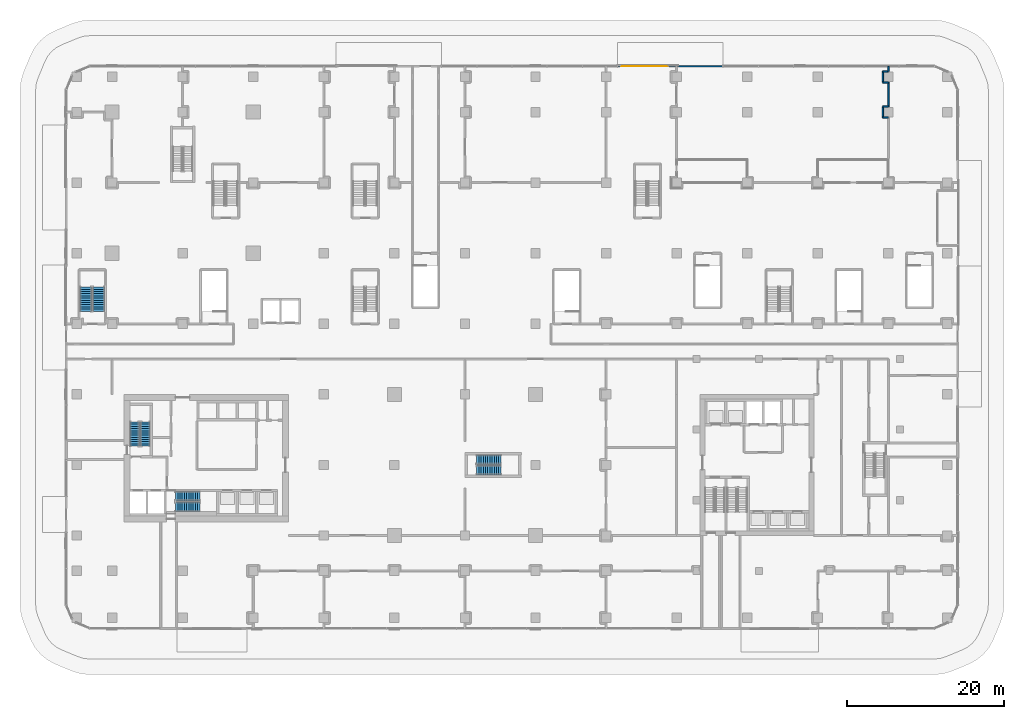
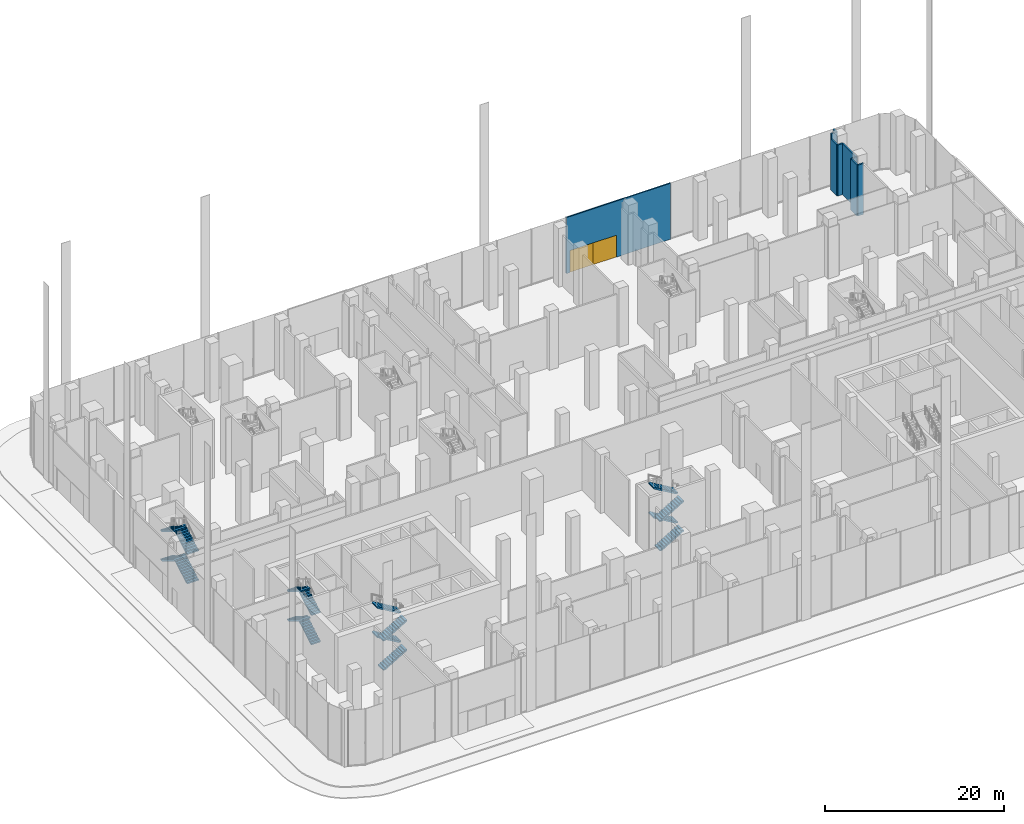
# One storey, part 27 of 42: 16 stair flights, 9 walls, 2 doors, 2 openings, 4 elements without a shape of their own.
"""IFC4 building model written with IfcOpenShell, lengths in metres."""

import ifcopenshell
import ifcopenshell.guid

model = None  # the IFC model being written
_history = None  # IfcOwnerHistory: only IFC2X3 demands one
_inside = {}  # id of a spatial element -> (the spatial element, [elements in it])
_under = {}  # id of a project, library or spatial element -> (it, [spatial elements below it])
_declared = {}  # id of a project -> (the project, [libraries it declares])
_typed = {}  # id of a type object -> (the type object, [elements of that type])
_made_of = {}  # id of a material, layer set ... -> (it, [elements and type objects made of it])


def new_model(schema):
    """Start an empty IFC model of exactly this schema.

    Asked for "IFC4X3", IfcOpenShell would pick the latest addendum, in which some entities
    have other attributes; the version numbers below select the first issue.
    IFC2X3 requires an IfcOwnerHistory on every rooted entity: one is made here for all.
    """
    global model, _history
    if schema == "IFC4X3":
        model = ifcopenshell.file(schema_version=(4, 3, 0, 0))
    else:
        model = ifcopenshell.file(schema=schema)
    _inside.clear()
    _under.clear()
    _declared.clear()
    _typed.clear()
    _made_of.clear()
    _history = None
    if model.schema == "IFC2X3":
        org = make("IfcOrganization", Name="unknown")
        user = make(
            "IfcPersonAndOrganization",
            ThePerson=make("IfcPerson", FamilyName="unknown"),
            TheOrganization=org,
        )
        app = make(
            "IfcApplication",
            ApplicationDeveloper=org,
            Version="unknown",
            ApplicationFullName="unknown",
            ApplicationIdentifier="unknown",
        )
        _history = make(
            "IfcOwnerHistory",
            OwningUser=user,
            OwningApplication=app,
            ChangeAction="ADDED",
            CreationDate=0,
        )
    return model


def make(cls, **values):
    """One entity of the class cls with the attributes given. An attribute that is None is left unset."""
    return model.create_entity(
        cls, **{name: value for name, value in values.items() if value is not None}
    )


def rooted(cls, **values):
    """An entity with a GlobalId (a new one), such as an element, a storey or a relation."""
    return make(cls, GlobalId=ifcopenshell.guid.new(), OwnerHistory=_history, **values)


def si_unit(unit_type, name, prefix=None):
    """IfcSIUnit, for example si_unit("LENGTHUNIT", "METRE", prefix="MILLI")."""
    return make("IfcSIUnit", UnitType=unit_type, Prefix=prefix, Name=name)


def assignment(units):
    """IfcUnitAssignment: the units of a project."""
    return None if units is None else make("IfcUnitAssignment", Units=units)


def point(xyz):
    """IfcCartesianPoint."""
    return None if xyz is None else make("IfcCartesianPoint", Coordinates=xyz)


def direction(xyz):
    """IfcDirection."""
    return None if xyz is None else make("IfcDirection", DirectionRatios=xyz)


def frame(location, z_axis=None, x_axis=None):
    """IfcAxis2Placement3D, a coordinate frame: its origin and axes. An axis left out is left unset."""
    return make(
        "IfcAxis2Placement3D",
        Location=point(location),
        Axis=direction(z_axis),
        RefDirection=direction(x_axis),
    )


def frame_2d(location, x_axis=None):
    """IfcAxis2Placement2D, a coordinate frame in the plane: its origin and x axis."""
    return make(
        "IfcAxis2Placement2D", Location=point(location), RefDirection=direction(x_axis)
    )


def origin():
    """The frame at (0, 0, 0) with its axes left unset."""
    return frame((0.0, 0.0, 0.0))


def place(relative_to, where):
    """IfcLocalPlacement: puts the frame where relative to a parent placement (None: the world)."""
    return make(
        "IfcLocalPlacement", PlacementRelTo=relative_to, RelativePlacement=where
    )


def context(
    kind, dimensions, precision=None, world=None, true_north=None, identifier=None
):
    """IfcGeometricRepresentationContext, for example the 3D "Model" context."""
    return make(
        "IfcGeometricRepresentationContext",
        ContextIdentifier=identifier,
        ContextType=kind,
        CoordinateSpaceDimension=dimensions,
        Precision=precision,
        WorldCoordinateSystem=world,
        TrueNorth=true_north,
    )


def subcontext(parent, identifier, kind, view, scale=None):
    """IfcGeometricRepresentationSubContext, for example "Body" below "Model"."""
    return make(
        "IfcGeometricRepresentationSubContext",
        ContextIdentifier=identifier,
        ContextType=kind,
        ParentContext=parent,
        TargetScale=scale,
        TargetView=view,
    )


def project(units=None, contexts=None):
    """IfcProject with its units and contexts."""
    return rooted(
        "IfcProject",
        Name="project",
        RepresentationContexts=contexts,
        UnitsInContext=assignment(units),
    )


def spatial(cls, under=None, at=None, **own):
    """A site, building, storey or space (cls), placed at a placement, below another one or the project."""
    s = rooted(cls, ObjectPlacement=at, **own)
    if under is not None:
        _under.setdefault(under.id(), (under, []))[1].append(s)
    return s


def polyline(points):
    """IfcPolyline through the points."""
    return make("IfcPolyline", Points=[point(p) for p in points])


def profile(cls, at=None, kind="AREA", **sizes):
    """A parametric profile (cls). Its sizes go by their IFC names, for example OverallWidth=200.0."""
    return make(cls, ProfileType=kind, Position=at, **sizes)


def rectangle(**sizes):
    """IfcRectangleProfileDef."""
    return profile("IfcRectangleProfileDef", **sizes)


def outline(outer, holes=None, kind="AREA"):
    """IfcArbitraryClosedProfileDef: a profile drawn as a closed curve; with holes, ...WithVoids."""
    if holes is None:
        return make("IfcArbitraryClosedProfileDef", ProfileType=kind, OuterCurve=outer)
    return make(
        "IfcArbitraryProfileDefWithVoids",
        ProfileType=kind,
        OuterCurve=outer,
        InnerCurves=holes,
    )


def extrude(swept, where, along, depth):
    """IfcExtrudedAreaSolid: the profile swept, set in the frame where, extruded along a direction by depth."""
    return make(
        "IfcExtrudedAreaSolid",
        SweptArea=swept,
        Position=where,
        ExtrudedDirection=direction(along),
        Depth=depth,
    )


def shape(context_of_items, identifier, shape_type, items):
    """IfcShapeRepresentation: the items that make up one representation, for example the "Body"."""
    return make(
        "IfcShapeRepresentation",
        ContextOfItems=context_of_items,
        RepresentationIdentifier=identifier,
        RepresentationType=shape_type,
        Items=items,
    )


def material(Name=None, Category=None):
    """IfcMaterial."""
    return make("IfcMaterial", Name=Name, Category=Category)


def layer(
    of_material, thickness, ventilated=None, Name=None, Category=None, Priority=None
):
    """IfcMaterialLayer: one layer of a wall or slab, of a material (None: an air gap)."""
    return make(
        "IfcMaterialLayer",
        Material=of_material,
        LayerThickness=thickness,
        IsVentilated=ventilated,
        Name=Name,
        Category=Category,
        Priority=Priority,
    )


def layer_set(layers, Name=None):
    """IfcMaterialLayerSet."""
    return make("IfcMaterialLayerSet", MaterialLayers=layers, LayerSetName=Name)


def made_of(thing, what):
    """Note that an element or type object is made of a material, layer set ...; save() writes the relation."""
    if what is not None:
        _made_of.setdefault(what.id(), (what, []))[1].append(thing)
    return thing


def type_object(cls, material=None, **own):
    """A type object (cls), such as IfcWallType, which elements share."""
    return made_of(rooted(cls, **own), material)


def element(
    cls,
    number,
    at=None,
    inside=None,
    cuts=None,
    type_object=None,
    material=None,
    context=None,
    identifier="Body",
    shape_type=None,
    held_by="IfcProductDefinitionShape",
    body=None,
    shapes=None,
    **own,
):
    """One element of the class cls, such as IfcWall. Its Tag is "e" and its number.

    at: its placement. inside: the storey or other place that contains it. cuts: it is an
    opening in that element (IfcRelVoidsElement). A single representation is given by context,
    identifier, shape_type and body (its items); several are given by shapes. held_by: the class
    of the entity that holds the representations. save() writes the other relations.
    """
    e = rooted(cls, Tag="e%d" % number, ObjectPlacement=at, **own)
    if body is not None:
        shapes = [shape(context, identifier, shape_type, body)]
    if shapes is not None:
        e.Representation = make(held_by, Representations=shapes)
    if inside is not None:
        _inside.setdefault(inside.id(), (inside, []))[1].append(e)
    if cuts is not None:
        rooted(
            "IfcRelVoidsElement", RelatingBuildingElement=cuts, RelatedOpeningElement=e
        )
    if type_object is not None:
        _typed.setdefault(type_object.id(), (type_object, []))[1].append(e)
    return made_of(e, material)


def fill(opening, filler):
    """IfcRelFillsElement: the door or window that sits in an opening."""
    return rooted(
        "IfcRelFillsElement",
        RelatingOpeningElement=opening,
        RelatedBuildingElement=filler,
    )


def aggregate(whole, parts):
    """IfcRelAggregates: a whole, such as a stair, and the parts it consists of."""
    return rooted("IfcRelAggregates", RelatingObject=whole, RelatedObjects=parts)


def save(model, path):
    """Write the relations noted so far, then the file.

    IfcRelAggregates (storeys below a building ...), IfcRelContainedInSpatialStructure (elements
    in a storey), IfcRelDefinesByType, IfcRelAssociatesMaterial and IfcRelDeclares: one each for
    every whole, place, type object, material and project.
    """
    for whole, parts in _under.values():
        aggregate(whole, parts)
    for where, things in _inside.values():
        rooted(
            "IfcRelContainedInSpatialStructure",
            RelatedElements=things,
            RelatingStructure=where,
        )
    for kind, things in _typed.values():
        rooted("IfcRelDefinesByType", RelatedObjects=things, RelatingType=kind)
    for what, things in _made_of.values():
        rooted("IfcRelAssociatesMaterial", RelatedObjects=things, RelatingMaterial=what)
    for by, libraries in _declared.values():
        rooted("IfcRelDeclares", RelatingContext=by, RelatedDefinitions=libraries)
    model.write(path)


model = new_model("IFC4")

# Units and contexts
model_context = context("Model", 3, precision=1e-05, world=origin(), true_north=direction((0.0, 1.0)))
body_context = subcontext(model_context, "Body", "Model", "MODEL_VIEW")
ifc_project = project(units=[si_unit("LENGTHUNIT", "METRE"), si_unit("AREAUNIT", "SQUARE_METRE"), si_unit("VOLUMEUNIT", "CUBIC_METRE"), si_unit("PLANEANGLEUNIT", "RADIAN"), si_unit("MASSUNIT", "GRAM", prefix="KILO")], contexts=[model_context])

# Site, building, storey
site_placement = place(None, origin())
site = spatial("IfcSite", under=ifc_project, at=site_placement, CompositionType="ELEMENT")
building_placement = place(site_placement, origin())
building = spatial("IfcBuilding", under=site, at=building_placement, Name="Plateau Cross Towers", CompositionType="ELEMENT")
storey_placement = place(building_placement, origin())
storey = spatial("IfcBuildingStorey", under=building, at=storey_placement, Name="L00", CompositionType="ELEMENT", Elevation=0.0)

# Wall, openings, doors
ifc_material_1 = material(Name="Aluminium framed glazing", Category="aluminium")
ifc_layer_1 = layer(ifc_material_1, 0.159912109375)
ifc_layer_set_1 = layer_set([ifc_layer_1], Name="Aluminium framed glazing")
wall_type_1 = type_object("IfcWallType", Name="Entrance screen wall 160", PredefinedType="STANDARD", material=ifc_layer_set_1)
wall_1_placement = place(storey_placement, frame((64.46240234375, 59.85009765625, 0.0), z_axis=(0.0, 0.0, 1.0), x_axis=(1.0, 0.0, 0.0)))
wall_1 = element("IfcWall", 1, at=wall_1_placement, inside=storey, type_object=wall_type_1, Name="Station station-N2 screen wall", PredefinedType="STANDARD", context=body_context, shape_type="SweptSolid", body=[
    extrude(rectangle(XDim=13.462646484375, YDim=0.159912109375, at=frame_2d((6.7314453125, 0.0))), origin(), (0.0, 0.0, 1.0), 7.64990234375),
])
opening_1_placement = place(wall_1_placement, frame((0.481201171875, 0.0, 0.0)))
opening_1 = element("IfcOpeningElement", 2, at=opening_1_placement, cuts=wall_1, Name="Opening XD3", PredefinedType="OPENING", context=body_context, shape_type="SweptSolid", body=[
    extrude(rectangle(XDim=3.0, YDim=3.0, at=frame_2d((1.5, 1.5))), frame((0.0, 0.08984375, 0.0), z_axis=(0.0, -1.0, 0.0), x_axis=(1.0, 0.0, 0.0)), (0.0, 0.0, 1.0), 0.179931640625),
])
opening_2_placement = place(wall_1_placement, frame((3.481201171875, 0.0, 0.0)))
opening_2 = element("IfcOpeningElement", 3, at=opening_2_placement, cuts=wall_1, Name="Opening XD3", PredefinedType="OPENING", context=body_context, shape_type="SweptSolid", body=[
    extrude(rectangle(XDim=3.0, YDim=3.0, at=frame_2d((1.5, 1.5))), frame((0.0, 0.08984375, 0.0), z_axis=(0.0, -1.0, 0.0), x_axis=(1.0, 0.0, 0.0)), (0.0, 0.0, 1.0), 0.179931640625),
])
door_type = type_object("IfcDoorType", Name="Station entrance sliding door 3000x3000", OperationType="SLIDING_TO_LEFT", PredefinedType="DOOR", material=ifc_material_1)
door_1_placement = place(opening_1_placement, origin())
door_1 = element("IfcDoor", 4, at=door_1_placement, inside=storey, type_object=door_type, Name="Station station-N2 door 1", OperationType="SINGLE_SWING_LEFT", OverallHeight=3.0, OverallWidth=3.0, PredefinedType="DOOR", context=body_context, shape_type="SweptSolid", body=[
    extrude(rectangle(XDim=3.0, YDim=3.0, at=frame_2d((1.5, 1.5))), frame((0.0, 0.02490234375, 0.0), z_axis=(0.0, -1.0, 0.0), x_axis=(1.0, 0.0, 0.0)), (0.0, 0.0, 1.0), 0.050048828125),
])
fill(opening_1, door_1)
door_2_placement = place(opening_2_placement, origin())
door_2 = element("IfcDoor", 5, at=door_2_placement, inside=storey, type_object=door_type, Name="Station station-N2 door 2", OperationType="SINGLE_SWING_LEFT", OverallHeight=3.0, OverallWidth=3.0, PredefinedType="DOOR", context=body_context, shape_type="SweptSolid", body=[
    extrude(rectangle(XDim=3.0, YDim=3.0, at=frame_2d((1.5, 1.5))), frame((0.0, 0.02490234375, 0.0), z_axis=(0.0, -1.0, 0.0), x_axis=(1.0, 0.0, 0.0)), (0.0, 0.0, 1.0), 0.050048828125),
])
fill(opening_2, door_2)

# Walls
ifc_material_2 = material(Name="Gypsum board on steel studs", Category="steel")
ifc_layer_2 = layer(ifc_material_2, 0.199951171875)
ifc_layer_set_2 = layer_set([ifc_layer_2], Name="Gypsum board on steel studs")
wall_type_2 = type_object("IfcWallType", Name="Podium partition 200", PredefinedType="PARTITIONING", material=ifc_layer_set_2)
wall_2_placement = place(storey_placement, frame((99.0, 59.85009765625, 0.0), z_axis=(0.0, 0.0, 1.0), x_axis=(0.0, -1.0, 0.0)))
element("IfcWall", 6, at=wall_2_placement, inside=storey, type_object=wall_type_2, Name="Partition wall", PredefinedType="PARTITIONING", context=body_context, shape_type="SweptSolid", body=[
    extrude(rectangle(XDim=0.650146484375, YDim=0.199951171875, at=frame_2d((0.3251953125, 0.0))), origin(), (0.0, 0.0, 1.0), 7.64990234375),
])
wall_3_placement = place(storey_placement, frame((99.0, 59.199951171875, 0.0), z_axis=(0.0, 0.0, 1.0), x_axis=(-1.0, 0.0, 0.0)))
element("IfcWall", 7, at=wall_3_placement, inside=storey, type_object=wall_type_2, Name="Partition wall", PredefinedType="PARTITIONING", context=body_context, shape_type="SweptSolid", body=[
    extrude(rectangle(XDim=0.699951171875, YDim=0.199951171875, at=frame_2d((0.35009765625, 0.0))), origin(), (0.0, 0.0, 1.0), 7.64990234375),
])
wall_4_placement = place(storey_placement, frame((98.300048828125, 59.199951171875, 0.0), z_axis=(0.0, 0.0, 1.0), x_axis=(0.0, -1.0, 0.0)))
element("IfcWall", 8, at=wall_4_placement, inside=storey, type_object=wall_type_2, Name="Partition wall", PredefinedType="PARTITIONING", context=body_context, shape_type="SweptSolid", body=[
    extrude(rectangle(XDim=1.39990234375, YDim=0.199951171875, at=frame_2d((0.699951171875, 0.0))), origin(), (0.0, 0.0, 1.0), 6.949951171875),
])
wall_5_placement = place(storey_placement, frame((98.300048828125, 57.800048828125, 0.0), z_axis=(0.0, 0.0, 1.0), x_axis=(1.0, 0.0, 0.0)))
element("IfcWall", 9, at=wall_5_placement, inside=storey, type_object=wall_type_2, Name="Partition wall", PredefinedType="PARTITIONING", context=body_context, shape_type="SweptSolid", body=[
    extrude(rectangle(XDim=0.699951171875, YDim=0.199951171875, at=frame_2d((0.35009765625, 0.0))), origin(), (0.0, 0.0, 1.0), 6.949951171875),
])
wall_6_placement = place(storey_placement, frame((99.0, 57.800048828125, 0.0), z_axis=(0.0, 0.0, 1.0), x_axis=(0.0, -1.0, 0.0)))
element("IfcWall", 10, at=wall_6_placement, inside=storey, type_object=wall_type_2, Name="Partition wall", PredefinedType="PARTITIONING", context=body_context, shape_type="SweptSolid", body=[
    extrude(rectangle(XDim=3.10009765625, YDim=0.199951171875, at=frame_2d((1.550048828125, 0.0))), origin(), (0.0, 0.0, 1.0), 6.949951171875),
])
wall_7_placement = place(storey_placement, frame((99.0, 54.699951171875, 0.0), z_axis=(0.0, 0.0, 1.0), x_axis=(-1.0, 0.0, 0.0)))
element("IfcWall", 11, at=wall_7_placement, inside=storey, type_object=wall_type_2, Name="Partition wall", PredefinedType="PARTITIONING", context=body_context, shape_type="SweptSolid", body=[
    extrude(rectangle(XDim=0.699951171875, YDim=0.199951171875, at=frame_2d((0.35009765625, 0.0))), origin(), (0.0, 0.0, 1.0), 6.949951171875),
])
wall_8_placement = place(storey_placement, frame((98.300048828125, 54.699951171875, 0.0), z_axis=(0.0, 0.0, 1.0), x_axis=(0.0, -1.0, 0.0)))
element("IfcWall", 12, at=wall_8_placement, inside=storey, type_object=wall_type_2, Name="Partition wall", PredefinedType="PARTITIONING", context=body_context, shape_type="SweptSolid", body=[
    extrude(rectangle(XDim=1.39990234375, YDim=0.199951171875, at=frame_2d((0.699951171875, 0.0))), origin(), (0.0, 0.0, 1.0), 6.949951171875),
])
wall_9_placement = place(storey_placement, frame((98.300048828125, 53.300048828125, 0.0), z_axis=(0.0, 0.0, 1.0), x_axis=(1.0, 0.0, 0.0)))
element("IfcWall", 13, at=wall_9_placement, inside=storey, type_object=wall_type_2, Name="Partition wall", PredefinedType="PARTITIONING", context=body_context, shape_type="SweptSolid", body=[
    extrude(rectangle(XDim=0.699951171875, YDim=0.199951171875, at=frame_2d((0.35009765625, 0.0))), origin(), (0.0, 0.0, 1.0), 6.949951171875),
])

# Stair, stair flights
ifc_material_3 = material(Name="Concrete C40/50", Category="concrete")
stair_type_1 = type_object("IfcStairType", Name="Podium exit stair 1500", PredefinedType="HALF_TURN_STAIR", material=ifc_material_3)
stair_1_placement = place(storey_placement, origin())
stair_1 = element("IfcStair", 14, at=stair_1_placement, inside=storey, type_object=stair_type_1, Name="L00 Exit Stair 4", PredefinedType="HALF_TURN_STAIR")
stair_flight_type_1 = type_object("IfcStairFlightType", Name="Podium stair flight 1500", PredefinedType="STRAIGHT", material=ifc_material_3)
stair_flight_1_placement = place(storey_placement, frame((-1.699951171875, 28.60009765625, 0.0), z_axis=(0.0, 0.0, 1.0), x_axis=(0.0, 1.0, 0.0)))
stair_flight_1 = element("IfcStairFlight", 15, at=stair_flight_1_placement, type_object=stair_flight_type_1, Name="PS4 flight 1", NumberOfRisers=12, NumberOfTreads=11, PredefinedType="STRAIGHT", RiserHeight=0.166666667, TreadLength=0.28, context=body_context, shape_type="SweptSolid", body=[
    extrude(outline(polyline([(-0.0048828125, -0.010009765625), (-0.0048828125, 0.0), (0.0, 0.0), (0.0, 0.166748046875), (0.280029296875, 0.166748046875), (0.280029296875, 0.333251953125), (0.56005859375, 0.333251953125), (0.56005859375, 0.5), (0.840087890625, 0.5), (0.840087890625, 0.666748046875), (1.1201171875, 0.666748046875), (1.1201171875, 0.833251953125), (1.39990234375, 0.833251953125), (1.39990234375, 1.0), (1.679931640625, 1.0), (1.679931640625, 1.166748046875), (1.9599609375, 1.166748046875), (1.9599609375, 1.333251953125), (2.239990234375, 1.333251953125), (2.239990234375, 1.5), (2.52001953125, 1.5), (2.52001953125, 1.666748046875), (2.800048828125, 1.666748046875), (2.800048828125, 1.833251953125), (3.080078125, 1.833251953125), (3.0849609375, 1.8232421875), (3.0849609375, 1.658935546875), (3.080078125, 1.658935546875), (0.29296875, 0.0), (0.02001953125, 0.0), (0.02001953125, -0.010009765625), (-0.0048828125, -0.010009765625)])), frame((0.0, 0.75, 0.0), z_axis=(0.0, -1.0, 0.0), x_axis=(1.0, 0.0, 0.0)), (0.0, 0.0, 1.0), 1.5),
])
stair_flight_2_placement = place(storey_placement, frame((-3.35009765625, 31.679931640625, 2.0), z_axis=(0.0, 0.0, 1.0), x_axis=(0.0, -1.0, 0.0)))
stair_flight_2 = element("IfcStairFlight", 16, at=stair_flight_2_placement, type_object=stair_flight_type_1, Name="PS4 flight 2", NumberOfRisers=12, NumberOfTreads=11, PredefinedType="STRAIGHT", RiserHeight=0.166666667, TreadLength=0.28, context=body_context, shape_type="SweptSolid", body=[
    extrude(outline(polyline([(-0.0048828125, -0.010009765625), (-0.0048828125, 0.0), (0.0, 0.0), (0.0, 0.166748046875), (0.280029296875, 0.166748046875), (0.280029296875, 0.333251953125), (0.56005859375, 0.333251953125), (0.56005859375, 0.5), (0.840087890625, 0.5), (0.840087890625, 0.666748046875), (1.1201171875, 0.666748046875), (1.1201171875, 0.833251953125), (1.39990234375, 0.833251953125), (1.39990234375, 1.0), (1.679931640625, 1.0), (1.679931640625, 1.166748046875), (1.9599609375, 1.166748046875), (1.9599609375, 1.333251953125), (2.239990234375, 1.333251953125), (2.239990234375, 1.5), (2.52001953125, 1.5), (2.52001953125, 1.666748046875), (2.800048828125, 1.666748046875), (2.800048828125, 1.833251953125), (3.080078125, 1.833251953125), (3.0849609375, 1.8232421875), (3.0849609375, 1.658935546875), (3.080078125, 1.658935546875), (0.29296875, 0.0), (0.02001953125, 0.0), (0.02001953125, -0.010009765625), (-0.0048828125, -0.010009765625)])), frame((0.0, 0.75, 0.0), z_axis=(0.0, -1.0, 0.0), x_axis=(1.0, 0.0, 0.0)), (0.0, 0.0, 1.0), 1.5),
])
stair_flight_3_placement = place(storey_placement, frame((-1.699951171875, 28.60009765625, 4.0), z_axis=(0.0, 0.0, 1.0), x_axis=(0.0, 1.0, 0.0)))
stair_flight_3 = element("IfcStairFlight", 17, at=stair_flight_3_placement, type_object=stair_flight_type_1, Name="PS4 flight 3", NumberOfRisers=12, NumberOfTreads=11, PredefinedType="STRAIGHT", RiserHeight=0.166666667, TreadLength=0.28, context=body_context, shape_type="SweptSolid", body=[
    extrude(outline(polyline([(-0.0048828125, -0.010009765625), (-0.0048828125, 0.0), (0.0, 0.0), (0.0, 0.166748046875), (0.280029296875, 0.166748046875), (0.280029296875, 0.333251953125), (0.56005859375, 0.333251953125), (0.56005859375, 0.5), (0.840087890625, 0.5), (0.840087890625, 0.666748046875), (1.1201171875, 0.666748046875), (1.1201171875, 0.833251953125), (1.39990234375, 0.833251953125), (1.39990234375, 1.0), (1.679931640625, 1.0), (1.679931640625, 1.166748046875), (1.9599609375, 1.166748046875), (1.9599609375, 1.333251953125), (2.239990234375, 1.333251953125), (2.239990234375, 1.5), (2.52001953125, 1.5), (2.52001953125, 1.666748046875), (2.800048828125, 1.666748046875), (2.800048828125, 1.833251953125), (3.080078125, 1.833251953125), (3.0849609375, 1.8232421875), (3.0849609375, 1.658935546875), (3.080078125, 1.658935546875), (0.29296875, 0.0), (0.02001953125, 0.0), (0.02001953125, -0.010009765625), (-0.0048828125, -0.010009765625)])), frame((0.0, 0.75, 0.0), z_axis=(0.0, -1.0, 0.0), x_axis=(1.0, 0.0, 0.0)), (0.0, 0.0, 1.0), 1.5),
])
stair_flight_4_placement = place(storey_placement, frame((-3.35009765625, 31.679931640625, 6.0), z_axis=(0.0, 0.0, 1.0), x_axis=(0.0, -1.0, 0.0)))
stair_flight_4 = element("IfcStairFlight", 18, at=stair_flight_4_placement, type_object=stair_flight_type_1, Name="PS4 flight 4", NumberOfRisers=12, NumberOfTreads=11, PredefinedType="STRAIGHT", RiserHeight=0.166666667, TreadLength=0.28, context=body_context, shape_type="SweptSolid", body=[
    extrude(outline(polyline([(-0.0048828125, -0.010009765625), (-0.0048828125, 0.0), (0.0, 0.0), (0.0, 0.166748046875), (0.280029296875, 0.166748046875), (0.280029296875, 0.333251953125), (0.56005859375, 0.333251953125), (0.56005859375, 0.5), (0.840087890625, 0.5), (0.840087890625, 0.666748046875), (1.1201171875, 0.666748046875), (1.1201171875, 0.833251953125), (1.39990234375, 0.833251953125), (1.39990234375, 1.0), (1.679931640625, 1.0), (1.679931640625, 1.166748046875), (1.9599609375, 1.166748046875), (1.9599609375, 1.333251953125), (2.239990234375, 1.333251953125), (2.239990234375, 1.5), (2.52001953125, 1.5), (2.52001953125, 1.666748046875), (2.800048828125, 1.666748046875), (2.800048828125, 1.833251953125), (3.080078125, 1.833251953125), (3.0849609375, 1.8232421875), (3.0849609375, 1.658935546875), (3.080078125, 1.658935546875), (0.29296875, 0.0), (0.02001953125, 0.0), (0.02001953125, -0.010009765625), (-0.0048828125, -0.010009765625)])), frame((0.0, 0.75, 0.0), z_axis=(0.0, -1.0, 0.0), x_axis=(1.0, 0.0, 0.0)), (0.0, 0.0, 1.0), 1.5),
])
aggregate(stair_1, [stair_flight_1, stair_flight_2, stair_flight_3, stair_flight_4])

stair_type_2 = type_object("IfcStairType", Name="ST-TWR", PredefinedType="HALF_TURN_STAIR", material=ifc_material_3)
stair_2_placement = place(storey_placement, origin())
stair_2 = element("IfcStair", 19, at=stair_2_placement, inside=storey, type_object=stair_type_2, Name="L00 Protected Exit Stair ST-1", PredefinedType="HALF_TURN_STAIR")
stair_flight_type_2 = type_object("IfcStairFlightType", Name="SFL-RC", PredefinedType="STRAIGHT", material=ifc_material_3)
stair_flight_5_placement = place(storey_placement, frame((4.25, 11.39990234375, 0.0), z_axis=(0.0, 0.0, 1.0), x_axis=(0.0, 1.0, 0.0)))
stair_flight_5 = element("IfcStairFlight", 20, at=stair_flight_5_placement, type_object=stair_flight_type_2, Name="ST-1 flight 1", NumberOfRisers=12, NumberOfTreads=11, PredefinedType="STRAIGHT", RiserHeight=0.166666667, TreadLength=0.28, context=body_context, shape_type="SweptSolid", body=[
    extrude(outline(polyline([(-0.0048828125, -0.010009765625), (-0.0048828125, 0.0), (0.0, 0.0), (0.0, 0.166748046875), (0.280029296875, 0.166748046875), (0.280029296875, 0.333251953125), (0.56005859375, 0.333251953125), (0.56005859375, 0.5), (0.840087890625, 0.5), (0.840087890625, 0.666748046875), (1.1201171875, 0.666748046875), (1.1201171875, 0.833251953125), (1.39990234375, 0.833251953125), (1.39990234375, 1.0), (1.679931640625, 1.0), (1.679931640625, 1.166748046875), (1.9599609375, 1.166748046875), (1.9599609375, 1.333251953125), (2.239990234375, 1.333251953125), (2.239990234375, 1.5), (2.52001953125, 1.5), (2.52001953125, 1.666748046875), (2.800048828125, 1.666748046875), (2.800048828125, 1.833251953125), (3.080078125, 1.833251953125), (3.0849609375, 1.8232421875), (3.0849609375, 1.658935546875), (3.080078125, 1.658935546875), (0.29296875, 0.0), (0.02001953125, 0.0), (0.02001953125, -0.010009765625), (-0.0048828125, -0.010009765625)])), frame((0.0, 0.60009765625, 0.0), z_axis=(0.0, -1.0, 0.0), x_axis=(1.0, 0.0, 0.0)), (0.0, 0.0, 1.0), 1.199951171875),
])
stair_flight_6_placement = place(storey_placement, frame((2.89990234375, 14.47998046875, 2.0), z_axis=(0.0, 0.0, 1.0), x_axis=(0.0, -1.0, 0.0)))
stair_flight_6 = element("IfcStairFlight", 21, at=stair_flight_6_placement, type_object=stair_flight_type_2, Name="ST-1 flight 2", NumberOfRisers=12, NumberOfTreads=11, PredefinedType="STRAIGHT", RiserHeight=0.166666667, TreadLength=0.28, context=body_context, shape_type="SweptSolid", body=[
    extrude(outline(polyline([(-0.0048828125, -0.010009765625), (-0.0048828125, 0.0), (0.0, 0.0), (0.0, 0.166748046875), (0.280029296875, 0.166748046875), (0.280029296875, 0.333251953125), (0.56005859375, 0.333251953125), (0.56005859375, 0.5), (0.840087890625, 0.5), (0.840087890625, 0.666748046875), (1.1201171875, 0.666748046875), (1.1201171875, 0.833251953125), (1.39990234375, 0.833251953125), (1.39990234375, 1.0), (1.679931640625, 1.0), (1.679931640625, 1.166748046875), (1.9599609375, 1.166748046875), (1.9599609375, 1.333251953125), (2.239990234375, 1.333251953125), (2.239990234375, 1.5), (2.52001953125, 1.5), (2.52001953125, 1.666748046875), (2.800048828125, 1.666748046875), (2.800048828125, 1.833251953125), (3.080078125, 1.833251953125), (3.0849609375, 1.8232421875), (3.0849609375, 1.658935546875), (3.080078125, 1.658935546875), (0.29296875, 0.0), (0.02001953125, 0.0), (0.02001953125, -0.010009765625), (-0.0048828125, -0.010009765625)])), frame((0.0, 0.60009765625, 0.0), z_axis=(0.0, -1.0, 0.0), x_axis=(1.0, 0.0, 0.0)), (0.0, 0.0, 1.0), 1.199951171875),
])
stair_flight_7_placement = place(storey_placement, frame((4.25, 11.39990234375, 4.0), z_axis=(0.0, 0.0, 1.0), x_axis=(0.0, 1.0, 0.0)))
stair_flight_7 = element("IfcStairFlight", 22, at=stair_flight_7_placement, type_object=stair_flight_type_2, Name="ST-1 flight 3", NumberOfRisers=12, NumberOfTreads=11, PredefinedType="STRAIGHT", RiserHeight=0.166666667, TreadLength=0.28, context=body_context, shape_type="SweptSolid", body=[
    extrude(outline(polyline([(-0.0048828125, -0.010009765625), (-0.0048828125, 0.0), (0.0, 0.0), (0.0, 0.166748046875), (0.280029296875, 0.166748046875), (0.280029296875, 0.333251953125), (0.56005859375, 0.333251953125), (0.56005859375, 0.5), (0.840087890625, 0.5), (0.840087890625, 0.666748046875), (1.1201171875, 0.666748046875), (1.1201171875, 0.833251953125), (1.39990234375, 0.833251953125), (1.39990234375, 1.0), (1.679931640625, 1.0), (1.679931640625, 1.166748046875), (1.9599609375, 1.166748046875), (1.9599609375, 1.333251953125), (2.239990234375, 1.333251953125), (2.239990234375, 1.5), (2.52001953125, 1.5), (2.52001953125, 1.666748046875), (2.800048828125, 1.666748046875), (2.800048828125, 1.833251953125), (3.080078125, 1.833251953125), (3.0849609375, 1.8232421875), (3.0849609375, 1.658935546875), (3.080078125, 1.658935546875), (0.29296875, 0.0), (0.02001953125, 0.0), (0.02001953125, -0.010009765625), (-0.0048828125, -0.010009765625)])), frame((0.0, 0.60009765625, 0.0), z_axis=(0.0, -1.0, 0.0), x_axis=(1.0, 0.0, 0.0)), (0.0, 0.0, 1.0), 1.199951171875),
])
stair_flight_8_placement = place(storey_placement, frame((2.89990234375, 14.47998046875, 6.0), z_axis=(0.0, 0.0, 1.0), x_axis=(0.0, -1.0, 0.0)))
stair_flight_8 = element("IfcStairFlight", 23, at=stair_flight_8_placement, type_object=stair_flight_type_2, Name="ST-1 flight 4", NumberOfRisers=12, NumberOfTreads=11, PredefinedType="STRAIGHT", RiserHeight=0.166666667, TreadLength=0.28, context=body_context, shape_type="SweptSolid", body=[
    extrude(outline(polyline([(-0.0048828125, -0.010009765625), (-0.0048828125, 0.0), (0.0, 0.0), (0.0, 0.166748046875), (0.280029296875, 0.166748046875), (0.280029296875, 0.333251953125), (0.56005859375, 0.333251953125), (0.56005859375, 0.5), (0.840087890625, 0.5), (0.840087890625, 0.666748046875), (1.1201171875, 0.666748046875), (1.1201171875, 0.833251953125), (1.39990234375, 0.833251953125), (1.39990234375, 1.0), (1.679931640625, 1.0), (1.679931640625, 1.166748046875), (1.9599609375, 1.166748046875), (1.9599609375, 1.333251953125), (2.239990234375, 1.333251953125), (2.239990234375, 1.5), (2.52001953125, 1.5), (2.52001953125, 1.666748046875), (2.800048828125, 1.666748046875), (2.800048828125, 1.833251953125), (3.080078125, 1.833251953125), (3.0849609375, 1.8232421875), (3.0849609375, 1.658935546875), (3.080078125, 1.658935546875), (0.29296875, 0.0), (0.02001953125, 0.0), (0.02001953125, -0.010009765625), (-0.0048828125, -0.010009765625)])), frame((0.0, 0.60009765625, 0.0), z_axis=(0.0, -1.0, 0.0), x_axis=(1.0, 0.0, 0.0)), (0.0, 0.0, 1.0), 1.199951171875),
])
aggregate(stair_2, [stair_flight_5, stair_flight_6, stair_flight_7, stair_flight_8])

stair_3_placement = place(storey_placement, origin())
stair_3 = element("IfcStair", 24, at=stair_3_placement, inside=storey, type_object=stair_type_2, Name="L00 Protected Exit Stair ST-2", PredefinedType="HALF_TURN_STAIR")
stair_flight_9_placement = place(storey_placement, frame((8.10009765625, 3.64990234375, 0.0), z_axis=(0.0, 0.0, 1.0), x_axis=(1.0, 0.0, 0.0)))
stair_flight_9 = element("IfcStairFlight", 25, at=stair_flight_9_placement, type_object=stair_flight_type_2, Name="ST-2 flight 1", NumberOfRisers=12, NumberOfTreads=11, PredefinedType="STRAIGHT", RiserHeight=0.166666667, TreadLength=0.28, context=body_context, shape_type="SweptSolid", body=[
    extrude(outline(polyline([(-0.0048828125, -0.010009765625), (-0.0048828125, 0.0), (0.0, 0.0), (0.0, 0.166748046875), (0.280029296875, 0.166748046875), (0.280029296875, 0.333251953125), (0.56005859375, 0.333251953125), (0.56005859375, 0.5), (0.840087890625, 0.5), (0.840087890625, 0.666748046875), (1.1201171875, 0.666748046875), (1.1201171875, 0.833251953125), (1.39990234375, 0.833251953125), (1.39990234375, 1.0), (1.679931640625, 1.0), (1.679931640625, 1.166748046875), (1.9599609375, 1.166748046875), (1.9599609375, 1.333251953125), (2.239990234375, 1.333251953125), (2.239990234375, 1.5), (2.52001953125, 1.5), (2.52001953125, 1.666748046875), (2.800048828125, 1.666748046875), (2.800048828125, 1.833251953125), (3.080078125, 1.833251953125), (3.0849609375, 1.8232421875), (3.0849609375, 1.658935546875), (3.080078125, 1.658935546875), (0.29296875, 0.0), (0.02001953125, 0.0), (0.02001953125, -0.010009765625), (-0.0048828125, -0.010009765625)])), frame((0.0, 0.60009765625, 0.0), z_axis=(0.0, -1.0, 0.0), x_axis=(1.0, 0.0, 0.0)), (0.0, 0.0, 1.0), 1.199951171875),
])
stair_flight_10_placement = place(storey_placement, frame((11.179931640625, 5.0, 2.0), z_axis=(0.0, 0.0, 1.0), x_axis=(-1.0, 0.0, 0.0)))
stair_flight_10 = element("IfcStairFlight", 26, at=stair_flight_10_placement, type_object=stair_flight_type_2, Name="ST-2 flight 2", NumberOfRisers=12, NumberOfTreads=11, PredefinedType="STRAIGHT", RiserHeight=0.166666667, TreadLength=0.28, context=body_context, shape_type="SweptSolid", body=[
    extrude(outline(polyline([(-0.0048828125, -0.010009765625), (-0.0048828125, 0.0), (0.0, 0.0), (0.0, 0.166748046875), (0.280029296875, 0.166748046875), (0.280029296875, 0.333251953125), (0.56005859375, 0.333251953125), (0.56005859375, 0.5), (0.840087890625, 0.5), (0.840087890625, 0.666748046875), (1.1201171875, 0.666748046875), (1.1201171875, 0.833251953125), (1.39990234375, 0.833251953125), (1.39990234375, 1.0), (1.679931640625, 1.0), (1.679931640625, 1.166748046875), (1.9599609375, 1.166748046875), (1.9599609375, 1.333251953125), (2.239990234375, 1.333251953125), (2.239990234375, 1.5), (2.52001953125, 1.5), (2.52001953125, 1.666748046875), (2.800048828125, 1.666748046875), (2.800048828125, 1.833251953125), (3.080078125, 1.833251953125), (3.0849609375, 1.8232421875), (3.0849609375, 1.658935546875), (3.080078125, 1.658935546875), (0.29296875, 0.0), (0.02001953125, 0.0), (0.02001953125, -0.010009765625), (-0.0048828125, -0.010009765625)])), frame((0.0, 0.60009765625, 0.0), z_axis=(0.0, -1.0, 0.0), x_axis=(1.0, 0.0, 0.0)), (0.0, 0.0, 1.0), 1.199951171875),
])
stair_flight_11_placement = place(storey_placement, frame((8.10009765625, 3.64990234375, 4.0), z_axis=(0.0, 0.0, 1.0), x_axis=(1.0, 0.0, 0.0)))
stair_flight_11 = element("IfcStairFlight", 27, at=stair_flight_11_placement, type_object=stair_flight_type_2, Name="ST-2 flight 3", NumberOfRisers=12, NumberOfTreads=11, PredefinedType="STRAIGHT", RiserHeight=0.166666667, TreadLength=0.28, context=body_context, shape_type="SweptSolid", body=[
    extrude(outline(polyline([(-0.0048828125, -0.010009765625), (-0.0048828125, 0.0), (0.0, 0.0), (0.0, 0.166748046875), (0.280029296875, 0.166748046875), (0.280029296875, 0.333251953125), (0.56005859375, 0.333251953125), (0.56005859375, 0.5), (0.840087890625, 0.5), (0.840087890625, 0.666748046875), (1.1201171875, 0.666748046875), (1.1201171875, 0.833251953125), (1.39990234375, 0.833251953125), (1.39990234375, 1.0), (1.679931640625, 1.0), (1.679931640625, 1.166748046875), (1.9599609375, 1.166748046875), (1.9599609375, 1.333251953125), (2.239990234375, 1.333251953125), (2.239990234375, 1.5), (2.52001953125, 1.5), (2.52001953125, 1.666748046875), (2.800048828125, 1.666748046875), (2.800048828125, 1.833251953125), (3.080078125, 1.833251953125), (3.0849609375, 1.8232421875), (3.0849609375, 1.658935546875), (3.080078125, 1.658935546875), (0.29296875, 0.0), (0.02001953125, 0.0), (0.02001953125, -0.010009765625), (-0.0048828125, -0.010009765625)])), frame((0.0, 0.60009765625, 0.0), z_axis=(0.0, -1.0, 0.0), x_axis=(1.0, 0.0, 0.0)), (0.0, 0.0, 1.0), 1.199951171875),
])
stair_flight_12_placement = place(storey_placement, frame((11.179931640625, 5.0, 6.0), z_axis=(0.0, 0.0, 1.0), x_axis=(-1.0, 0.0, 0.0)))
stair_flight_12 = element("IfcStairFlight", 28, at=stair_flight_12_placement, type_object=stair_flight_type_2, Name="ST-2 flight 4", NumberOfRisers=12, NumberOfTreads=11, PredefinedType="STRAIGHT", RiserHeight=0.166666667, TreadLength=0.28, context=body_context, shape_type="SweptSolid", body=[
    extrude(outline(polyline([(-0.0048828125, -0.010009765625), (-0.0048828125, 0.0), (0.0, 0.0), (0.0, 0.166748046875), (0.280029296875, 0.166748046875), (0.280029296875, 0.333251953125), (0.56005859375, 0.333251953125), (0.56005859375, 0.5), (0.840087890625, 0.5), (0.840087890625, 0.666748046875), (1.1201171875, 0.666748046875), (1.1201171875, 0.833251953125), (1.39990234375, 0.833251953125), (1.39990234375, 1.0), (1.679931640625, 1.0), (1.679931640625, 1.166748046875), (1.9599609375, 1.166748046875), (1.9599609375, 1.333251953125), (2.239990234375, 1.333251953125), (2.239990234375, 1.5), (2.52001953125, 1.5), (2.52001953125, 1.666748046875), (2.800048828125, 1.666748046875), (2.800048828125, 1.833251953125), (3.080078125, 1.833251953125), (3.0849609375, 1.8232421875), (3.0849609375, 1.658935546875), (3.080078125, 1.658935546875), (0.29296875, 0.0), (0.02001953125, 0.0), (0.02001953125, -0.010009765625), (-0.0048828125, -0.010009765625)])), frame((0.0, 0.60009765625, 0.0), z_axis=(0.0, -1.0, 0.0), x_axis=(1.0, 0.0, 0.0)), (0.0, 0.0, 1.0), 1.199951171875),
])
aggregate(stair_3, [stair_flight_9, stair_flight_10, stair_flight_11, stair_flight_12])

stair_4_placement = place(storey_placement, origin())
stair_4 = element("IfcStair", 29, at=stair_4_placement, inside=storey, type_object=stair_type_2, Name="L00 Protected Exit Stair E", PredefinedType="HALF_TURN_STAIR")
stair_flight_13_placement = place(storey_placement, frame((46.5, 8.324951171875, 0.0), z_axis=(0.0, 0.0, 1.0), x_axis=(1.0, 0.0, 0.0)))
stair_flight_13 = element("IfcStairFlight", 30, at=stair_flight_13_placement, type_object=stair_flight_type_2, Name="ES-E flight 1", NumberOfRisers=12, NumberOfTreads=11, PredefinedType="STRAIGHT", RiserHeight=0.166666667, TreadLength=0.28, context=body_context, shape_type="SweptSolid", body=[
    extrude(outline(polyline([(-0.0048828125, -0.010009765625), (-0.0048828125, 0.0), (0.0, 0.0), (0.0, 0.166748046875), (0.280029296875, 0.166748046875), (0.280029296875, 0.333251953125), (0.56005859375, 0.333251953125), (0.56005859375, 0.5), (0.840087890625, 0.5), (0.840087890625, 0.666748046875), (1.1201171875, 0.666748046875), (1.1201171875, 0.833251953125), (1.39990234375, 0.833251953125), (1.39990234375, 1.0), (1.679931640625, 1.0), (1.679931640625, 1.166748046875), (1.9599609375, 1.166748046875), (1.9599609375, 1.333251953125), (2.239990234375, 1.333251953125), (2.239990234375, 1.5), (2.52001953125, 1.5), (2.52001953125, 1.666748046875), (2.800048828125, 1.666748046875), (2.800048828125, 1.833251953125), (3.080078125, 1.833251953125), (3.0849609375, 1.8232421875), (3.0849609375, 1.658935546875), (3.080078125, 1.658935546875), (0.29296875, 0.0), (0.02001953125, 0.0), (0.02001953125, -0.010009765625), (-0.0048828125, -0.010009765625)])), frame((0.0, 0.60009765625, 0.0), z_axis=(0.0, -1.0, 0.0), x_axis=(1.0, 0.0, 0.0)), (0.0, 0.0, 1.0), 1.199951171875),
])
stair_flight_14_placement = place(storey_placement, frame((49.580078125, 9.675048828125, 2.0), z_axis=(0.0, 0.0, 1.0), x_axis=(-1.0, 0.0, 0.0)))
stair_flight_14 = element("IfcStairFlight", 31, at=stair_flight_14_placement, type_object=stair_flight_type_2, Name="ES-E flight 2", NumberOfRisers=12, NumberOfTreads=11, PredefinedType="STRAIGHT", RiserHeight=0.166666667, TreadLength=0.28, context=body_context, shape_type="SweptSolid", body=[
    extrude(outline(polyline([(-0.0048828125, -0.010009765625), (-0.0048828125, 0.0), (0.0, 0.0), (0.0, 0.166748046875), (0.280029296875, 0.166748046875), (0.280029296875, 0.333251953125), (0.56005859375, 0.333251953125), (0.56005859375, 0.5), (0.840087890625, 0.5), (0.840087890625, 0.666748046875), (1.1201171875, 0.666748046875), (1.1201171875, 0.833251953125), (1.39990234375, 0.833251953125), (1.39990234375, 1.0), (1.679931640625, 1.0), (1.679931640625, 1.166748046875), (1.9599609375, 1.166748046875), (1.9599609375, 1.333251953125), (2.239990234375, 1.333251953125), (2.239990234375, 1.5), (2.52001953125, 1.5), (2.52001953125, 1.666748046875), (2.800048828125, 1.666748046875), (2.800048828125, 1.833251953125), (3.080078125, 1.833251953125), (3.0849609375, 1.8232421875), (3.0849609375, 1.658935546875), (3.080078125, 1.658935546875), (0.29296875, 0.0), (0.02001953125, 0.0), (0.02001953125, -0.010009765625), (-0.0048828125, -0.010009765625)])), frame((0.0, 0.60009765625, 0.0), z_axis=(0.0, -1.0, 0.0), x_axis=(1.0, 0.0, 0.0)), (0.0, 0.0, 1.0), 1.199951171875),
])
stair_flight_15_placement = place(storey_placement, frame((46.5, 8.324951171875, 4.0), z_axis=(0.0, 0.0, 1.0), x_axis=(1.0, 0.0, 0.0)))
stair_flight_15 = element("IfcStairFlight", 32, at=stair_flight_15_placement, type_object=stair_flight_type_2, Name="ES-E flight 3", NumberOfRisers=12, NumberOfTreads=11, PredefinedType="STRAIGHT", RiserHeight=0.166666667, TreadLength=0.28, context=body_context, shape_type="SweptSolid", body=[
    extrude(outline(polyline([(-0.0048828125, -0.010009765625), (-0.0048828125, 0.0), (0.0, 0.0), (0.0, 0.166748046875), (0.280029296875, 0.166748046875), (0.280029296875, 0.333251953125), (0.56005859375, 0.333251953125), (0.56005859375, 0.5), (0.840087890625, 0.5), (0.840087890625, 0.666748046875), (1.1201171875, 0.666748046875), (1.1201171875, 0.833251953125), (1.39990234375, 0.833251953125), (1.39990234375, 1.0), (1.679931640625, 1.0), (1.679931640625, 1.166748046875), (1.9599609375, 1.166748046875), (1.9599609375, 1.333251953125), (2.239990234375, 1.333251953125), (2.239990234375, 1.5), (2.52001953125, 1.5), (2.52001953125, 1.666748046875), (2.800048828125, 1.666748046875), (2.800048828125, 1.833251953125), (3.080078125, 1.833251953125), (3.0849609375, 1.8232421875), (3.0849609375, 1.658935546875), (3.080078125, 1.658935546875), (0.29296875, 0.0), (0.02001953125, 0.0), (0.02001953125, -0.010009765625), (-0.0048828125, -0.010009765625)])), frame((0.0, 0.60009765625, 0.0), z_axis=(0.0, -1.0, 0.0), x_axis=(1.0, 0.0, 0.0)), (0.0, 0.0, 1.0), 1.199951171875),
])
stair_flight_16_placement = place(storey_placement, frame((49.580078125, 9.675048828125, 6.0), z_axis=(0.0, 0.0, 1.0), x_axis=(-1.0, 0.0, 0.0)))
stair_flight_16 = element("IfcStairFlight", 33, at=stair_flight_16_placement, type_object=stair_flight_type_2, Name="ES-E flight 4", NumberOfRisers=12, NumberOfTreads=11, PredefinedType="STRAIGHT", RiserHeight=0.166666667, TreadLength=0.28, context=body_context, shape_type="SweptSolid", body=[
    extrude(outline(polyline([(-0.0048828125, -0.010009765625), (-0.0048828125, 0.0), (0.0, 0.0), (0.0, 0.166748046875), (0.280029296875, 0.166748046875), (0.280029296875, 0.333251953125), (0.56005859375, 0.333251953125), (0.56005859375, 0.5), (0.840087890625, 0.5), (0.840087890625, 0.666748046875), (1.1201171875, 0.666748046875), (1.1201171875, 0.833251953125), (1.39990234375, 0.833251953125), (1.39990234375, 1.0), (1.679931640625, 1.0), (1.679931640625, 1.166748046875), (1.9599609375, 1.166748046875), (1.9599609375, 1.333251953125), (2.239990234375, 1.333251953125), (2.239990234375, 1.5), (2.52001953125, 1.5), (2.52001953125, 1.666748046875), (2.800048828125, 1.666748046875), (2.800048828125, 1.833251953125), (3.080078125, 1.833251953125), (3.0849609375, 1.8232421875), (3.0849609375, 1.658935546875), (3.080078125, 1.658935546875), (0.29296875, 0.0), (0.02001953125, 0.0), (0.02001953125, -0.010009765625), (-0.0048828125, -0.010009765625)])), frame((0.0, 0.60009765625, 0.0), z_axis=(0.0, -1.0, 0.0), x_axis=(1.0, 0.0, 0.0)), (0.0, 0.0, 1.0), 1.199951171875),
])
aggregate(stair_4, [stair_flight_13, stair_flight_14, stair_flight_15, stair_flight_16])

save(model, "model.ifc")
